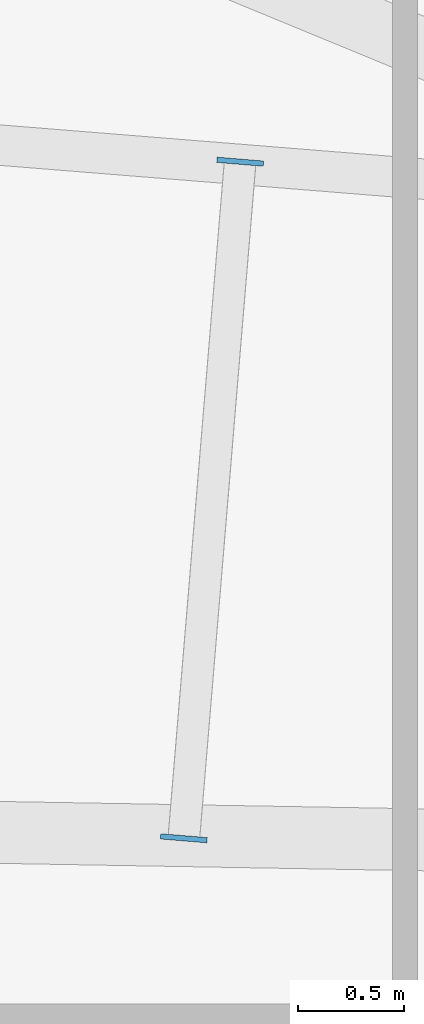
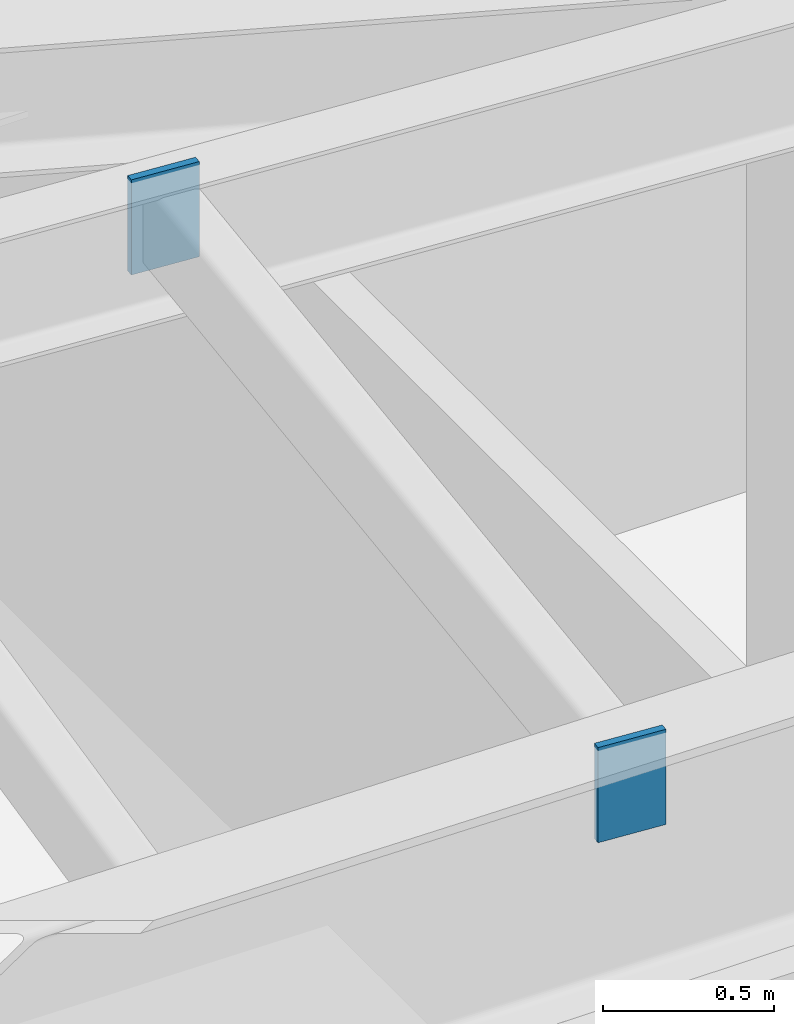
# One storey, part 8 of 18: 2 plates.
"""IFC4 building model written with IfcOpenShell, lengths in metres."""

from ifc_helpers import new_model, si_unit, direction, frame, origin, origin_2d, place, context, subcontext, project, spatial, rectangle, extrude, material, layer, layer_set, type_object, element, save


model = new_model("IFC4")

# Units and contexts
model_context = context("Model", 3, precision=1e-05, world=origin(), true_north=direction((0.0, 1.0)))
body_context = subcontext(model_context, "Body", "Model", "MODEL_VIEW")
ifc_project = project(units=[si_unit("LENGTHUNIT", "METRE"), si_unit("AREAUNIT", "SQUARE_METRE"), si_unit("VOLUMEUNIT", "CUBIC_METRE"), si_unit("PLANEANGLEUNIT", "RADIAN"), si_unit("MASSUNIT", "GRAM", prefix="KILO")], contexts=[model_context])

# Site, building, storey
site_placement = place(None, origin())
site = spatial("IfcSite", under=ifc_project, at=site_placement, CompositionType="ELEMENT")
building_placement = place(site_placement, origin())
building = spatial("IfcBuilding", under=site, at=building_placement, Name="Valkerne Bourse Tower", CompositionType="ELEMENT")
storey_placement = place(building_placement, frame((0.0, 0.0, 69.60009765625)))
storey = spatial("IfcBuildingStorey", under=building, at=storey_placement, Name="L17", CompositionType="ELEMENT", Elevation=69.60009765625)

# Plates
ifc_material = material(Name="Steel ASTM A572 Grade 50", Category="steel")
ifc_layer = layer(ifc_material, 0.02490234375)
ifc_layer_set = layer_set([ifc_layer], Name="Steel ASTM A572 Grade 50")
plate_type = type_object("IfcPlateType", Name="PLT-CAP-300", PredefinedType="SHEET", material=ifc_layer_set)
for number, where, z_axis, x_axis, name in (
    (1, (34.873291015625, 35.631591796875, 3.25), (0.0, 0.0, 1.0), (-0.082982139742, -0.996551034561, 0.0), "L17 HSS300x150 Purlin End Cap Plate PLT-CAP300-L17-001"),
    (2, (34.607666015625, 32.439697265625, 3.25), (0.0, 0.0, 1.0), (-0.082982139742, -0.996551034561, 0.0), "L17 HSS300x150 Purlin End Cap Plate PLT-CAP300-L17-002"),
):
    element("IfcPlate", number, at=place(storey_placement, frame(where, z_axis=z_axis, x_axis=x_axis)), inside=storey, type_object=plate_type, Name=name, PredefinedType="SHEET", context=body_context, shape_type="SweptSolid", body=[
        extrude(rectangle(XDim=0.02490234375, YDim=0.219970703125, at=origin_2d()), origin(), (0.0, 0.0, 1.0), 0.340087890625),
    ])

save(model, "model.ifc")
